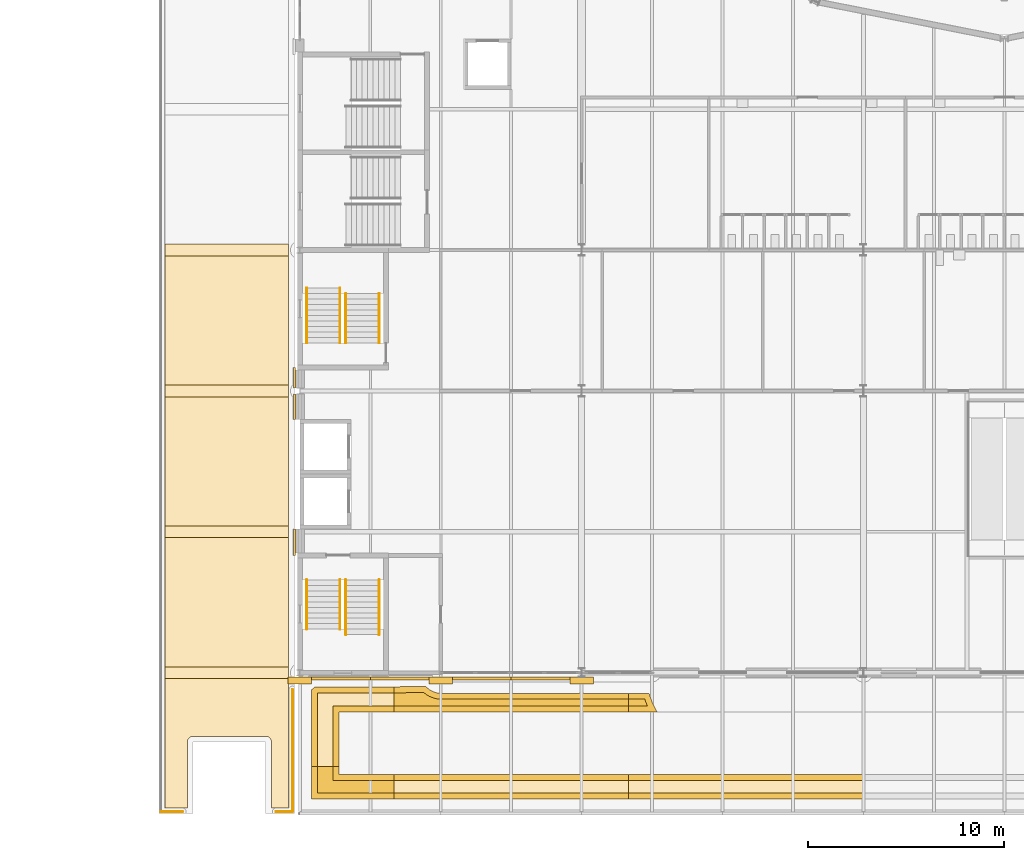
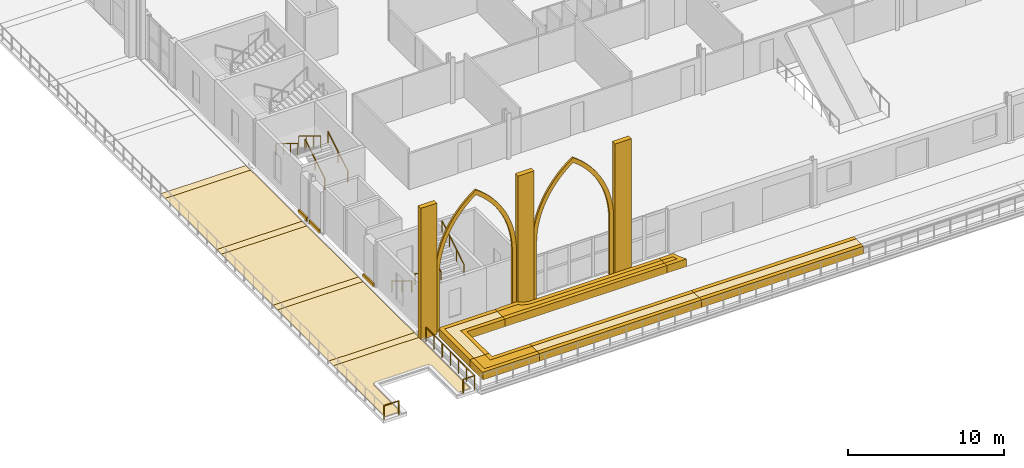
# One storey, part 104 of 143: 33 coverings, 11 railings.
"""IFC4 building model written with IfcOpenShell, lengths in metres."""

from ifc_helpers import new_model, si_unit, direction, frame, origin, origin_2d, place, context, subcontext, project, spatial, polyline, rectangle, circle, outline, extrude, material, layer, layer_set, type_object, element, save


model = new_model("IFC4")

# Units and contexts
model_context = context("Model", 3, precision=1e-05, world=origin(), true_north=direction((0.0, 1.0)))
body_context = subcontext(model_context, "Body", "Model", "MODEL_VIEW")
ifc_project = project(units=[si_unit("LENGTHUNIT", "METRE"), si_unit("AREAUNIT", "SQUARE_METRE"), si_unit("VOLUMEUNIT", "CUBIC_METRE"), si_unit("PLANEANGLEUNIT", "RADIAN"), si_unit("MASSUNIT", "GRAM", prefix="KILO")], contexts=[model_context])

# Site, building, storey
site_placement = place(None, origin())
site = spatial("IfcSite", under=ifc_project, at=site_placement, CompositionType="ELEMENT")
building_placement = place(site_placement, origin())
building = spatial("IfcBuilding", under=site, at=building_placement, Name="Kupolbacken Congress Centre", CompositionType="ELEMENT")
storey_placement = place(building_placement, frame((0.0, 0.0, 7.199951171875)))
storey = spatial("IfcBuildingStorey", under=building, at=storey_placement, Name="L02", CompositionType="ELEMENT", Elevation=7.199951171875)

# Coverings
ifc_material_1 = material(Name="Brick cladding", Category="masonry")
ifc_layer_1 = layer(ifc_material_1, 0.10791015625)
ifc_layer_set_1 = layer_set([ifc_layer_1], Name="Brick cladding")
covering_type_1 = type_object("IfcCoveringType", Name="CV2 brick cladding band 108", PredefinedType="CLADDING", material=ifc_layer_set_1)
covering_1_placement = place(storey_placement, frame((6.916015625, 43.875, 0.0), z_axis=(0.0, 0.0, 1.0), x_axis=(0.0, -1.0, 0.0)))
element("IfcCovering", 1, at=covering_1_placement, inside=storey, type_object=covering_type_1, Name="E/F/W/L02/242/band", PredefinedType="CLADDING", context=body_context, shape_type="SweptSolid", body=[
    extrude(rectangle(XDim=1.050048828125, YDim=0.10791015625, at=origin_2d()), origin(), (0.0, 0.0, 1.0), 0.300048828125),
])
covering_2_placement = place(storey_placement, frame((6.916015625, 42.39990234375, 0.0), z_axis=(0.0, 0.0, 1.0), x_axis=(0.0, -1.0, 0.0)))
element("IfcCovering", 2, at=covering_2_placement, inside=storey, type_object=covering_type_1, Name="E/F/W/L02/243/band", PredefinedType="CLADDING", context=body_context, shape_type="SweptSolid", body=[
    extrude(rectangle(XDim=1.300048828125, YDim=0.10791015625, at=origin_2d()), origin(), (0.0, 0.0, 1.0), 0.300048828125),
])
covering_3_placement = place(storey_placement, frame((6.916015625, 35.47509765625, 0.0), z_axis=(0.0, 0.0, 1.0), x_axis=(0.0, -1.0, 0.0)))
element("IfcCovering", 3, at=covering_3_placement, inside=storey, type_object=covering_type_1, Name="E/F/W/L02/244/band", PredefinedType="CLADDING", context=body_context, shape_type="SweptSolid", body=[
    extrude(rectangle(XDim=1.35009765625, YDim=0.10791015625, at=origin_2d()), origin(), (0.0, 0.0, 1.0), 0.300048828125),
])
ifc_material_2 = material(Name="Limestone cladding", Category="masonry")
ifc_layer_2 = layer(ifc_material_2, 0.35009765625)
ifc_layer_set_2 = layer_set([ifc_layer_2], Name="Limestone cladding")
covering_type_2 = type_object("IfcCoveringType", Name="CV3 limestone pilaster strip 350", PredefinedType="CLADDING", material=ifc_layer_set_2)
for number, where, z_axis, x_axis, name in (
    (4, (7.199951171875, 28.39501953125, 0.0), (0.0, 0.0, 1.0), (1.0, 0.0, 0.0), "F/FY/S/pil/00/0"),
    (5, (14.39990234375, 28.39501953125, 0.0), (0.0, 0.0, 1.0), (1.0, 0.0, 0.0), "F/FY/S/pil/01/0"),
    (6, (21.60009765625, 28.39501953125, 0.0), (0.0, 0.0, 1.0), (1.0, 0.0, 0.0), "F/FY/S/pil/02/0"),
):
    element("IfcCovering", number, at=place(storey_placement, frame(where, z_axis=z_axis, x_axis=x_axis)), inside=storey, type_object=covering_type_2, Name=name, PredefinedType="CLADDING", context=body_context, shape_type="SweptSolid", body=[
        extrude(rectangle(XDim=1.199951171875, YDim=0.35009765625, at=origin_2d()), origin(), (0.0, 0.0, 1.0), 10.300048828125),
    ])
ifc_material_3 = material(Name="Limestone cladding", Category="masonry")
ifc_layer_3 = layer(ifc_material_3, 0.14990234375)
ifc_layer_set_3 = layer_set([ifc_layer_3], Name="Limestone cladding")
covering_type_3 = type_object("IfcCoveringType", Name="CV4 limestone blind arch frame 150", PredefinedType="CLADDING", material=ifc_layer_set_3)
covering_4_placement = place(storey_placement, frame((7.800048828125, 28.570068359375, 0.0), z_axis=(0.0, -1.0, 0.0), x_axis=(1.0, 0.0, 0.0)))
element("IfcCovering", 7, at=covering_4_placement, inside=storey, type_object=covering_type_3, Name="F/FY/S/arch/00/11.7", PredefinedType="CLADDING", context=body_context, shape_type="SweptSolid", body=[
    extrude(outline(polyline([(0.0, 0.0), (0.0, 4.449951171875), (0.0166015625, 4.92822265625), (0.066162109375, 5.404052734375), (0.1484375, 5.87548828125), (0.26318359375, 6.340087890625), (0.409912109375, 6.79541015625), (0.587646484375, 7.23974609375), (0.7958984375, 7.670654296875), (1.033203125, 8.086181640625), (1.298583984375, 8.484130859375), (1.591064453125, 8.86279296875), (1.9091796875, 9.220458984375), (2.2509765625, 9.555419921875), (2.615234375, 9.865478515625), (3.0, 10.14990234375), (3.384765625, 9.865478515625), (3.7490234375, 9.555419921875), (4.0908203125, 9.220458984375), (4.408935546875, 8.86279296875), (4.701416015625, 8.484130859375), (4.966796875, 8.086181640625), (5.2041015625, 7.670654296875), (5.412353515625, 7.23974609375), (5.590087890625, 6.79541015625), (5.73681640625, 6.340087890625), (5.8515625, 5.87548828125), (5.933837890625, 5.404052734375), (5.9833984375, 4.92822265625), (6.0, 4.449951171875), (6.0, 0.0), (5.699951171875, 0.0), (5.699951171875, 4.449951171875), (5.685302734375, 4.892578125), (5.640869140625, 5.333251953125), (5.56689453125, 5.77001953125), (5.464111328125, 6.20068359375), (5.332763671875, 6.62353515625), (5.17333984375, 7.036865234375), (4.986572265625, 7.4384765625), (4.773193359375, 7.826416015625), (4.53466796875, 8.19970703125), (4.271484375, 8.555908203125), (3.985107421875, 8.893798828125), (3.677001953125, 9.211669921875), (3.347900390625, 9.50830078125), (3.0, 9.781982421875), (2.652099609375, 9.50830078125), (2.322998046875, 9.211669921875), (2.014892578125, 8.893798828125), (1.728515625, 8.555908203125), (1.46533203125, 8.19970703125), (1.226806640625, 7.826416015625), (1.013427734375, 7.4384765625), (0.82666015625, 7.036865234375), (0.667236328125, 6.62353515625), (0.535888671875, 6.20068359375), (0.43310546875, 5.77001953125), (0.359130859375, 5.333251953125), (0.314697265625, 4.892578125), (0.300048828125, 4.449951171875), (0.300048828125, 0.0), (0.0, 0.0)])), origin(), (0.0, 0.0, 1.0), 0.14990234375),
])
covering_5_placement = place(storey_placement, frame((15.0, 28.570068359375, 0.0), z_axis=(0.0, -1.0, 0.0), x_axis=(1.0, 0.0, 0.0)))
element("IfcCovering", 8, at=covering_5_placement, inside=storey, type_object=covering_type_3, Name="F/FY/S/arch/01/11.7", PredefinedType="CLADDING", context=body_context, shape_type="SweptSolid", body=[
    extrude(outline(polyline([(0.0, 0.0), (0.0, 4.449951171875), (0.0166015625, 4.92822265625), (0.066162109375, 5.404052734375), (0.1484375, 5.87548828125), (0.26318359375, 6.340087890625), (0.409912109375, 6.79541015625), (0.587646484375, 7.23974609375), (0.7958984375, 7.670654296875), (1.033203125, 8.086181640625), (1.298583984375, 8.484130859375), (1.591064453125, 8.86279296875), (1.9091796875, 9.220458984375), (2.2509765625, 9.555419921875), (2.615234375, 9.865478515625), (3.0, 10.14990234375), (3.384765625, 9.865478515625), (3.7490234375, 9.555419921875), (4.0908203125, 9.220458984375), (4.408935546875, 8.86279296875), (4.701416015625, 8.484130859375), (4.966796875, 8.086181640625), (5.2041015625, 7.670654296875), (5.412353515625, 7.23974609375), (5.590087890625, 6.79541015625), (5.73681640625, 6.340087890625), (5.8515625, 5.87548828125), (5.933837890625, 5.404052734375), (5.9833984375, 4.92822265625), (6.0, 4.449951171875), (6.0, 0.0), (5.699951171875, 0.0), (5.699951171875, 4.449951171875), (5.685302734375, 4.892578125), (5.640869140625, 5.333251953125), (5.56689453125, 5.77001953125), (5.464111328125, 6.20068359375), (5.332763671875, 6.62353515625), (5.17333984375, 7.036865234375), (4.986572265625, 7.4384765625), (4.773193359375, 7.826416015625), (4.53466796875, 8.19970703125), (4.271484375, 8.555908203125), (3.985107421875, 8.893798828125), (3.677001953125, 9.211669921875), (3.347900390625, 9.50830078125), (3.0, 9.781982421875), (2.652099609375, 9.50830078125), (2.322998046875, 9.211669921875), (2.014892578125, 8.893798828125), (1.728515625, 8.555908203125), (1.46533203125, 8.19970703125), (1.226806640625, 7.826416015625), (1.013427734375, 7.4384765625), (0.82666015625, 7.036865234375), (0.667236328125, 6.62353515625), (0.535888671875, 6.20068359375), (0.43310546875, 5.77001953125), (0.359130859375, 5.333251953125), (0.314697265625, 4.892578125), (0.300048828125, 4.449951171875), (0.300048828125, 0.0), (0.0, 0.0)])), origin(), (0.0, 0.0, 1.0), 0.14990234375),
])
ifc_material_4 = material(Name="Limestone cladding", Category="masonry")
ifc_layer_4 = layer(ifc_material_4, 0.60009765625)
ifc_layer_set_4 = layer_set([ifc_layer_4], Name="Limestone cladding")
covering_type_4 = type_object("IfcCoveringType", Name="CV5 limestone arcade pier 600", PredefinedType="CLADDING", material=ifc_layer_set_4)
covering_6_placement = place(storey_placement, origin())
element("IfcCovering", 9, at=covering_6_placement, inside=storey, type_object=covering_type_4, Name="Bed kerb, roof garden", PredefinedType="CLADDING", context=body_context, shape_type="SweptSolid", body=[
    extrude(outline(polyline([(9.202392578125, 23.6025390625), (12.0, 23.6025390625), (12.0, 23.302490234375), (8.902587890625, 23.302490234375), (8.902587890625, 24.0), (9.202392578125, 24.0), (9.202392578125, 23.6025390625)])), origin(), (0.0, 0.0, 1.0), 0.60009765625),
])
covering_7_placement = place(storey_placement, origin())
element("IfcCovering", 10, at=covering_7_placement, inside=storey, type_object=covering_type_4, Name="Bed kerb, roof garden", PredefinedType="CLADDING", context=body_context, shape_type="SweptSolid", body=[
    extrude(outline(polyline([(7.802490234375, 22.35009765625), (7.802490234375, 24.0), (8.1025390625, 24.0), (8.1025390625, 22.64990234375), (12.0, 22.64990234375), (12.0, 22.35009765625), (7.802490234375, 22.35009765625)])), origin(), (0.0, 0.0, 1.0), 0.60009765625),
])
covering_8_placement = place(storey_placement, origin())
element("IfcCovering", 11, at=covering_8_placement, inside=storey, type_object=covering_type_4, Name="Bed kerb, roof garden", PredefinedType="CLADDING", context=body_context, shape_type="SweptSolid", body=[
    extrude(outline(polyline([(7.943115234375, 28.056884765625), (7.959228515625, 28.074951171875), (10.875, 28.074951171875), (12.0, 28.074951171875), (12.0, 27.77490234375), (8.1025390625, 27.77490234375), (8.1025390625, 24.0), (7.802490234375, 24.0), (7.802490234375, 27.940185546875), (7.86669921875, 27.98779296875), (7.943115234375, 28.056884765625)])), origin(), (0.0, 0.0, 1.0), 0.60009765625),
])
covering_9_placement = place(storey_placement, origin())
element("IfcCovering", 12, at=covering_9_placement, inside=storey, type_object=covering_type_4, Name="Bed kerb, roof garden", PredefinedType="CLADDING", context=body_context, shape_type="SweptSolid", body=[
    extrude(outline(polyline([(9.202392578125, 26.797607421875), (9.202392578125, 24.0), (8.902587890625, 24.0), (8.902587890625, 27.097412109375), (12.0, 27.097412109375), (12.0, 26.797607421875), (9.202392578125, 26.797607421875)])), origin(), (0.0, 0.0, 1.0), 0.60009765625),
])
covering_10_placement = place(storey_placement, origin())
element("IfcCovering", 13, at=covering_10_placement, inside=storey, type_object=covering_type_4, Name="Bed kerb, roof garden", PredefinedType="CLADDING", context=body_context, shape_type="SweptSolid", body=[
    extrude(outline(polyline([(24.0, 23.6025390625), (24.0, 23.302490234375), (12.0, 23.302490234375), (12.0, 23.6025390625), (24.0, 23.6025390625)])), origin(), (0.0, 0.0, 1.0), 0.60009765625),
])
covering_11_placement = place(storey_placement, origin())
element("IfcCovering", 14, at=covering_11_placement, inside=storey, type_object=covering_type_4, Name="Bed kerb, roof garden", PredefinedType="CLADDING", context=body_context, shape_type="SweptSolid", body=[
    extrude(outline(polyline([(12.0, 22.35009765625), (12.0, 22.64990234375), (24.0, 22.64990234375), (24.0, 22.35009765625), (12.0, 22.35009765625)])), origin(), (0.0, 0.0, 1.0), 0.60009765625),
])
covering_12_placement = place(storey_placement, origin())
element("IfcCovering", 15, at=covering_12_placement, inside=storey, type_object=covering_type_4, Name="Bed kerb, roof garden", PredefinedType="CLADDING", context=body_context, shape_type="SweptSolid", body=[
    extrude(outline(polyline([(12.324951171875, 28.074951171875), (12.324951171875, 28.10009765625), (13.64306640625, 28.10009765625), (13.681884765625, 28.056884765625), (13.75830078125, 27.98779296875), (13.84130859375, 27.926513671875), (13.9296875, 27.873291015625), (14.02294921875, 27.829345703125), (14.1201171875, 27.79443359375), (14.219970703125, 27.76953125), (14.322021484375, 27.75439453125), (14.425048828125, 27.749267578125), (14.439697265625, 27.75), (16.147705078125, 27.75), (16.16259765625, 27.749267578125), (16.17724609375, 27.75), (17.910400390625, 27.75), (17.925048828125, 27.749267578125), (17.939697265625, 27.75), (19.6728515625, 27.75), (19.6875, 27.749267578125), (19.7021484375, 27.75), (21.410400390625, 27.75), (21.425048828125, 27.749267578125), (21.512451171875, 27.753662109375), (21.60009765625, 27.749267578125), (21.68994140625, 27.753662109375), (21.780029296875, 27.749267578125), (21.794921875, 27.75), (21.79541015625, 27.75), (23.459716796875, 27.75), (23.4599609375, 27.75), (23.47509765625, 27.749267578125), (23.489990234375, 27.75), (23.490234375, 27.75), (24.0, 27.75), (24.0, 27.449951171875), (23.4970703125, 27.449951171875), (23.475341796875, 27.448974609375), (23.45263671875, 27.449951171875), (21.802001953125, 27.449951171875), (21.780029296875, 27.448974609375), (21.68994140625, 27.453369140625), (21.60009765625, 27.448974609375), (21.512451171875, 27.453125), (21.425048828125, 27.448974609375), (21.40283203125, 27.449951171875), (19.709716796875, 27.449951171875), (19.6875, 27.448974609375), (19.665283203125, 27.449951171875), (17.947021484375, 27.449951171875), (17.925048828125, 27.448974609375), (17.90283203125, 27.449951171875), (16.1845703125, 27.449951171875), (16.16259765625, 27.448974609375), (16.140380859375, 27.449951171875), (14.447021484375, 27.449951171875), (14.425048828125, 27.448974609375), (14.29248046875, 27.455322265625), (14.161376953125, 27.474853515625), (14.03271484375, 27.507080078125), (13.907958984375, 27.5517578125), (13.7880859375, 27.6083984375), (13.67431640625, 27.676513671875), (13.56787109375, 27.755615234375), (13.518798828125, 27.800048828125), (12.625, 27.800048828125), (12.625, 27.77490234375), (12.0, 27.77490234375), (12.0, 28.074951171875), (12.324951171875, 28.074951171875)])), origin(), (0.0, 0.0, 1.0), 0.60009765625),
])
covering_13_placement = place(storey_placement, origin())
element("IfcCovering", 16, at=covering_13_placement, inside=storey, type_object=covering_type_4, Name="Bed kerb, roof garden", PredefinedType="CLADDING", context=body_context, shape_type="SweptSolid", body=[
    extrude(outline(polyline([(12.0, 26.797607421875), (12.0, 27.097412109375), (24.0, 27.097412109375), (24.0, 26.797607421875), (12.0, 26.797607421875)])), origin(), (0.0, 0.0, 1.0), 0.60009765625),
])
covering_14_placement = place(storey_placement, origin())
element("IfcCovering", 17, at=covering_14_placement, inside=storey, type_object=covering_type_4, Name="Bed kerb, roof garden", PredefinedType="CLADDING", context=body_context, shape_type="SweptSolid", body=[
    extrude(outline(polyline([(36.0, 23.6025390625), (36.0, 23.302490234375), (24.0, 23.302490234375), (24.0, 23.6025390625), (36.0, 23.6025390625)])), origin(), (0.0, 0.0, 1.0), 0.60009765625),
])
covering_15_placement = place(storey_placement, origin())
element("IfcCovering", 18, at=covering_15_placement, inside=storey, type_object=covering_type_4, Name="Bed kerb, roof garden", PredefinedType="CLADDING", context=body_context, shape_type="SweptSolid", body=[
    extrude(outline(polyline([(24.0, 22.35009765625), (24.0, 22.64990234375), (36.0, 22.64990234375), (36.0, 22.35009765625), (24.0, 22.35009765625)])), origin(), (0.0, 0.0, 1.0), 0.60009765625),
])
covering_16_placement = place(storey_placement, origin())
element("IfcCovering", 19, at=covering_16_placement, inside=storey, type_object=covering_type_4, Name="Bed kerb, roof garden", PredefinedType="CLADDING", context=body_context, shape_type="SweptSolid", body=[
    extrude(outline(polyline([(25.04736328125, 27.75), (25.06787109375, 27.66796875), (25.197021484375, 27.3076171875), (25.360595703125, 26.961669921875), (25.458740234375, 26.797607421875), (24.0, 26.797607421875), (24.0, 27.097412109375), (24.96435546875, 27.097412109375), (24.91943359375, 27.192626953125), (24.827392578125, 27.449951171875), (24.0, 27.449951171875), (24.0, 27.75), (25.04736328125, 27.75)])), origin(), (0.0, 0.0, 1.0), 0.60009765625),
])
ifc_material_5 = material(Name="Limestone cladding", Category="masonry")
ifc_layer_5 = layer(ifc_material_5, 0.02001953125)
ifc_layer_set_5 = layer_set([ifc_layer_5], Name="Limestone cladding")
covering_type_5 = type_object("IfcCoveringType", Name="GF1 limestone paving 20", PredefinedType="FLOORING", material=ifc_layer_set_5)
covering_17_placement = place(storey_placement, origin())
element("IfcCovering", 20, at=covering_17_placement, inside=storey, type_object=covering_type_5, Name="West paving band", PredefinedType="FLOORING", context=body_context, shape_type="SweptSolid", body=[
    extrude(outline(polyline([(0.301025390625, 28.5), (0.301025390625, 29.10009765625), (6.625, 29.10009765625), (6.625, 28.5), (0.301025390625, 28.5)])), origin(), (0.0, 0.0, 1.0), 0.02001953125),
])
covering_18_placement = place(storey_placement, origin())
element("IfcCovering", 21, at=covering_18_placement, inside=storey, type_object=covering_type_5, Name="West paving band", PredefinedType="FLOORING", context=body_context, shape_type="SweptSolid", body=[
    extrude(outline(polyline([(0.301025390625, 35.699951171875), (0.301025390625, 36.300048828125), (6.625, 36.300048828125), (6.625, 35.699951171875), (0.301025390625, 35.699951171875)])), origin(), (0.0, 0.0, 1.0), 0.02001953125),
])
covering_19_placement = place(storey_placement, origin())
element("IfcCovering", 22, at=covering_19_placement, inside=storey, type_object=covering_type_5, Name="West paving band", PredefinedType="FLOORING", context=body_context, shape_type="SweptSolid", body=[
    extrude(outline(polyline([(0.301025390625, 42.89990234375), (0.301025390625, 43.5), (6.625, 43.5), (6.625, 42.89990234375), (0.301025390625, 42.89990234375)])), origin(), (0.0, 0.0, 1.0), 0.02001953125),
])
covering_20_placement = place(storey_placement, origin())
element("IfcCovering", 23, at=covering_20_placement, inside=storey, type_object=covering_type_5, Name="West paving band", PredefinedType="FLOORING", context=body_context, shape_type="SweptSolid", body=[
    extrude(outline(polyline([(0.301025390625, 50.10009765625), (0.301025390625, 50.699951171875), (6.625, 50.699951171875), (6.625, 50.10009765625), (0.301025390625, 50.10009765625)])), origin(), (0.0, 0.0, 1.0), 0.02001953125),
])
ifc_material_6 = material(Name="Brick", Category="masonry")
ifc_layer_6 = layer(ifc_material_6, 0.02001953125)
ifc_layer_set_6 = layer_set([ifc_layer_6], Name="Brick")
covering_type_6 = type_object("IfcCoveringType", Name="GF2 brick paving 20", PredefinedType="FLOORING", material=ifc_layer_set_6)
covering_21_placement = place(storey_placement, origin())
element("IfcCovering", 24, at=covering_21_placement, inside=storey, type_object=covering_type_6, Name="West terrace brick paving", PredefinedType="FLOORING", context=body_context, shape_type="SweptSolid", body=[
    extrude(outline(polyline([(5.74853515625, 25.279296875), (5.744140625, 25.30859375), (5.737060546875, 25.337158203125), (5.727294921875, 25.36474609375), (5.714599609375, 25.391357421875), (5.699462890625, 25.416748046875), (5.681884765625, 25.440185546875), (5.662109375, 25.462158203125), (5.640380859375, 25.48193359375), (5.61669921875, 25.49951171875), (5.59130859375, 25.5146484375), (5.564697265625, 25.527099609375), (5.537109375, 25.537109375), (5.508544921875, 25.544189453125), (5.4794921875, 25.548583984375), (5.449951171875, 25.550048828125), (1.75, 25.550048828125), (1.720703125, 25.548583984375), (1.69140625, 25.544189453125), (1.662841796875, 25.537109375), (1.63525390625, 25.527099609375), (1.608642578125, 25.5146484375), (1.583251953125, 25.49951171875), (1.559814453125, 25.48193359375), (1.537841796875, 25.462158203125), (1.51806640625, 25.440185546875), (1.50048828125, 25.416748046875), (1.4853515625, 25.391357421875), (1.472900390625, 25.36474609375), (1.462890625, 25.337158203125), (1.455810546875, 25.30859375), (1.451416015625, 25.279296875), (1.449951171875, 25.25), (1.449951171875, 21.89990234375), (0.301025390625, 21.89990234375), (0.301025390625, 28.5), (6.625, 28.5), (6.625, 21.89990234375), (5.75, 21.89990234375), (5.75, 25.25), (5.74853515625, 25.279296875)])), origin(), (0.0, 0.0, 1.0), 0.02001953125),
])
covering_22_placement = place(storey_placement, origin())
element("IfcCovering", 25, at=covering_22_placement, inside=storey, type_object=covering_type_6, Name="West terrace brick paving", PredefinedType="FLOORING", context=body_context, shape_type="SweptSolid", body=[
    extrude(outline(polyline([(6.625, 29.10009765625), (0.301025390625, 29.10009765625), (0.301025390625, 35.699951171875), (6.625, 35.699951171875), (6.625, 29.10009765625)])), origin(), (0.0, 0.0, 1.0), 0.02001953125),
])
covering_23_placement = place(storey_placement, origin())
element("IfcCovering", 26, at=covering_23_placement, inside=storey, type_object=covering_type_6, Name="West terrace brick paving", PredefinedType="FLOORING", context=body_context, shape_type="SweptSolid", body=[
    extrude(outline(polyline([(6.625, 36.300048828125), (0.301025390625, 36.300048828125), (0.301025390625, 42.89990234375), (6.625, 42.89990234375), (6.625, 36.300048828125)])), origin(), (0.0, 0.0, 1.0), 0.02001953125),
])
covering_24_placement = place(storey_placement, origin())
element("IfcCovering", 27, at=covering_24_placement, inside=storey, type_object=covering_type_6, Name="West terrace brick paving", PredefinedType="FLOORING", context=body_context, shape_type="SweptSolid", body=[
    extrude(outline(polyline([(6.625, 43.5), (0.301025390625, 43.5), (0.301025390625, 50.10009765625), (6.625, 50.10009765625), (6.625, 43.5)])), origin(), (0.0, 0.0, 1.0), 0.02001953125),
])
ifc_material_7 = material(Name="Planting substrate", Category="soil")
ifc_layer_7 = layer(ifc_material_7, 0.60009765625)
ifc_layer_set_7 = layer_set([ifc_layer_7], Name="Planting substrate")
covering_type_7 = type_object("IfcCoveringType", Name="GR8 planting substrate 600", PredefinedType="FLOORING", material=ifc_layer_set_7)
covering_25_placement = place(storey_placement, origin())
element("IfcCovering", 28, at=covering_25_placement, inside=storey, type_object=covering_type_7, Name="Planting bed, roof garden", PredefinedType="FLOORING", context=body_context, shape_type="SweptSolid", body=[
    extrude(outline(polyline([(8.902587890625, 23.302490234375), (12.0, 23.302490234375), (12.0, 22.64990234375), (8.1025390625, 22.64990234375), (8.1025390625, 24.0), (8.902587890625, 24.0), (8.902587890625, 23.302490234375)])), origin(), (0.0, 0.0, 1.0), 0.60009765625),
])
covering_26_placement = place(storey_placement, origin())
element("IfcCovering", 29, at=covering_26_placement, inside=storey, type_object=covering_type_7, Name="Planting bed, roof garden", PredefinedType="FLOORING", context=body_context, shape_type="SweptSolid", body=[
    extrude(outline(polyline([(12.0, 27.77490234375), (12.0, 27.097412109375), (8.902587890625, 27.097412109375), (8.902587890625, 24.0), (8.1025390625, 24.0), (8.1025390625, 27.77490234375), (12.0, 27.77490234375)])), origin(), (0.0, 0.0, 1.0), 0.60009765625),
])
covering_27_placement = place(storey_placement, origin())
element("IfcCovering", 30, at=covering_27_placement, inside=storey, type_object=covering_type_7, Name="Planting bed, roof garden", PredefinedType="FLOORING", context=body_context, shape_type="SweptSolid", body=[
    extrude(outline(polyline([(24.0, 23.302490234375), (24.0, 22.64990234375), (12.0, 22.64990234375), (12.0, 23.302490234375), (24.0, 23.302490234375)])), origin(), (0.0, 0.0, 1.0), 0.60009765625),
])
covering_28_placement = place(storey_placement, origin())
element("IfcCovering", 31, at=covering_28_placement, inside=storey, type_object=covering_type_7, Name="Planting bed, roof garden", PredefinedType="FLOORING", context=body_context, shape_type="SweptSolid", body=[
    extrude(outline(polyline([(12.625, 27.77490234375), (12.625, 27.800048828125), (13.518798828125, 27.800048828125), (13.56787109375, 27.755615234375), (13.67431640625, 27.676513671875), (13.7880859375, 27.6083984375), (13.907958984375, 27.5517578125), (14.03271484375, 27.507080078125), (14.161376953125, 27.474853515625), (14.29248046875, 27.455322265625), (14.425048828125, 27.448974609375), (14.447021484375, 27.449951171875), (16.140380859375, 27.449951171875), (16.16259765625, 27.448974609375), (16.1845703125, 27.449951171875), (17.90283203125, 27.449951171875), (17.925048828125, 27.448974609375), (17.947021484375, 27.449951171875), (19.665283203125, 27.449951171875), (19.6875, 27.448974609375), (19.709716796875, 27.449951171875), (21.40283203125, 27.449951171875), (21.425048828125, 27.448974609375), (21.512451171875, 27.453125), (21.60009765625, 27.448974609375), (21.68994140625, 27.453369140625), (21.780029296875, 27.448974609375), (21.802001953125, 27.449951171875), (23.45263671875, 27.449951171875), (23.475341796875, 27.448974609375), (23.4970703125, 27.449951171875), (24.0, 27.449951171875), (24.0, 27.097412109375), (12.0, 27.097412109375), (12.0, 27.77490234375), (12.625, 27.77490234375)])), origin(), (0.0, 0.0, 1.0), 0.60009765625),
])
covering_29_placement = place(storey_placement, origin())
element("IfcCovering", 32, at=covering_29_placement, inside=storey, type_object=covering_type_7, Name="Planting bed, roof garden", PredefinedType="FLOORING", context=body_context, shape_type="SweptSolid", body=[
    extrude(outline(polyline([(36.0, 23.302490234375), (36.0, 22.64990234375), (24.0, 22.64990234375), (24.0, 23.302490234375), (36.0, 23.302490234375)])), origin(), (0.0, 0.0, 1.0), 0.60009765625),
])
covering_30_placement = place(storey_placement, origin())
element("IfcCovering", 33, at=covering_30_placement, inside=storey, type_object=covering_type_7, Name="Planting bed, roof garden", PredefinedType="FLOORING", context=body_context, shape_type="SweptSolid", body=[
    extrude(outline(polyline([(24.827392578125, 27.449951171875), (24.91943359375, 27.192626953125), (24.96435546875, 27.097412109375), (24.0, 27.097412109375), (24.0, 27.449951171875), (24.827392578125, 27.449951171875)])), origin(), (0.0, 0.0, 1.0), 0.60009765625),
])

# Railings
ifc_material_8 = material(Name="Steel S235", Category="steel")
railing_type_1 = type_object("IfcRailingType", Name="RL1 guard 1100 steel balustrade", PredefinedType="GUARDRAIL", material=ifc_material_8)
railing_1_placement = place(storey_placement, frame((6.824951171875, 21.699951171875, 0.0)))
element("IfcRailing", 34, at=railing_1_placement, inside=storey, type_object=railing_type_1, Name="E/deckguard/000", PredefinedType="GUARDRAIL", context=body_context, shape_type="SweptSolid", body=[
    extrude(circle(Radius=0.02392578125, at=origin_2d()), frame((0.0, 0.0, 1.076171875), z_axis=(-1.0, 0.0, 0.0), x_axis=(0.0, -1.0, 0.0)), (0.0, 0.0, 1.0), 0.849853515625),
    extrude(circle(Radius=0.02099609375, at=origin_2d()), origin(), (0.0, 0.0, 1.0), 1.052001953125),
    extrude(circle(Radius=0.02099609375, at=origin_2d()), frame((-0.849853515625, 0.0, 0.0)), (0.0, 0.0, 1.0), 1.052001953125),
])
railing_2_placement = place(storey_placement, frame((1.20751953125, 21.699951171875, 0.0)))
element("IfcRailing", 35, at=railing_2_placement, inside=storey, type_object=railing_type_1, Name="E/deckguard/001", PredefinedType="GUARDRAIL", context=body_context, shape_type="SweptSolid", body=[
    extrude(circle(Radius=0.02392578125, at=origin_2d()), frame((0.0, 0.0, 1.076171875), z_axis=(-1.0, 0.0, 0.0), x_axis=(0.0, -1.0, 0.0)), (0.0, 0.0, 1.0), 1.1064453125),
    extrude(circle(Radius=0.02099609375, at=origin_2d()), origin(), (0.0, 0.0, 1.0), 1.052001953125),
    extrude(circle(Radius=0.02099609375, at=origin_2d()), frame((-1.1064453125, 0.0, 0.0)), (0.0, 0.0, 1.0), 1.052001953125),
])
railing_3_placement = place(storey_placement, frame((6.824951171875, 27.939208984375, 0.0)))
element("IfcRailing", 36, at=railing_3_placement, inside=storey, type_object=railing_type_1, Name="E/deckguard/005", PredefinedType="GUARDRAIL", context=body_context, shape_type="SweptSolid", body=[
    extrude(circle(Radius=0.02392578125, at=origin_2d()), frame((0.0, 0.0, 1.076171875), z_axis=(0.0, -1.0, 0.0), x_axis=(1.0, 0.0, 0.0)), (0.0, 0.0, 1.0), 6.2392578125),
    extrude(circle(Radius=0.02099609375, at=origin_2d()), origin(), (0.0, 0.0, 1.0), 1.052001953125),
    extrude(circle(Radius=0.02099609375, at=origin_2d()), frame((0.0, -1.039794921875, 0.0)), (0.0, 0.0, 1.0), 1.052001953125),
    extrude(circle(Radius=0.02099609375, at=origin_2d()), frame((0.0, -2.079833984375, 0.0)), (0.0, 0.0, 1.0), 1.052001953125),
    extrude(circle(Radius=0.02099609375, at=origin_2d()), frame((0.0, -3.11962890625, 0.0)), (0.0, 0.0, 1.0), 1.052001953125),
    extrude(circle(Radius=0.02099609375, at=origin_2d()), frame((0.0, -4.159423828125, 0.0)), (0.0, 0.0, 1.0), 1.052001953125),
    extrude(circle(Radius=0.02099609375, at=origin_2d()), frame((0.0, -5.199462890625, 0.0)), (0.0, 0.0, 1.0), 1.052001953125),
    extrude(circle(Radius=0.02099609375, at=origin_2d()), frame((0.0, -6.2392578125, 0.0)), (0.0, 0.0, 1.0), 1.052001953125),
])
ifc_material_9 = material(Name="Steel S235", Category="steel")
railing_type_2 = type_object("IfcRailingType", Name="RL3 handrail wall-mounted 900", PredefinedType="HANDRAIL", material=ifc_material_9)
for number, where, name in (
    (37, (9.25, 33.544921875, 0.17138671875), "C/stair/FS1W/L02/HR1L"),
    (38, (7.550048828125, 33.544921875, 0.17138671875), "C/stair/FS1W/L02/HR1R"),
):
    element("IfcRailing", number, at=place(storey_placement, frame(where)), inside=storey, type_object=railing_type_2, Name=name, PredefinedType="HANDRAIL", context=body_context, shape_type="SweptSolid", body=[
        extrude(circle(Radius=0.02392578125, at=origin_2d()), frame((0.0, 0.0, 0.8759765625), z_axis=(0.0, -0.852836285881, 0.522178388565), x_axis=(1.0, 0.0, 0.0)), (0.0, 0.0, 1.0), 2.954833984375),
        extrude(circle(Radius=0.02099609375, at=origin_2d()), origin(), (0.0, 0.0, 1.0), 0.851806640625),
        extrude(circle(Radius=0.02099609375, at=origin_2d()), frame((0.0, -1.260009765625, 0.771484375)), (0.0, 0.0, 1.0), 0.851806640625),
        extrude(circle(Radius=0.02099609375, at=origin_2d()), frame((0.0, -2.52001953125, 1.54296875)), (0.0, 0.0, 1.0), 0.851806640625),
    ])
for number, where, name in (
    (39, (9.550048828125, 30.7451171875, 1.8857421875), "C/stair/FS1W/L02/HR2L"),
    (40, (11.25, 30.7451171875, 1.8857421875), "C/stair/FS1W/L02/HR2R"),
):
    element("IfcRailing", number, at=place(storey_placement, frame(where)), inside=storey, type_object=railing_type_2, Name=name, PredefinedType="HANDRAIL", context=body_context, shape_type="SweptSolid", body=[
        extrude(circle(Radius=0.02392578125, at=origin_2d()), frame((0.0, 0.0, 0.8759765625), z_axis=(0.0, 0.852825620865, 0.522195806567), x_axis=(-1.0, 0.0, 0.0)), (0.0, 0.0, 1.0), 3.282958984375),
        extrude(circle(Radius=0.02099609375, at=origin_2d()), origin(), (0.0, 0.0, 1.0), 0.851806640625),
        extrude(circle(Radius=0.02099609375, at=origin_2d()), frame((0.0, 0.933349609375, 0.571533203125)), (0.0, 0.0, 1.0), 0.851806640625),
        extrude(circle(Radius=0.02099609375, at=origin_2d()), frame((0.0, 1.866455078125, 1.142822265625)), (0.0, 0.0, 1.0), 0.851806640625),
        extrude(circle(Radius=0.02099609375, at=origin_2d()), frame((0.0, 2.7998046875, 1.71435546875)), (0.0, 0.0, 1.0), 0.851806640625),
    ])
for number, where, name in (
    (41, (9.550048828125, 45.655029296875, 0.17138671875), "C/stair/FS2W/L02/HR1L"),
    (42, (11.25, 45.655029296875, 0.17138671875), "C/stair/FS2W/L02/HR1R"),
):
    element("IfcRailing", number, at=place(storey_placement, frame(where)), inside=storey, type_object=railing_type_2, Name=name, PredefinedType="HANDRAIL", context=body_context, shape_type="SweptSolid", body=[
        extrude(circle(Radius=0.02392578125, at=origin_2d()), frame((0.0, 0.0, 0.8759765625), z_axis=(0.0, 0.852836285881, 0.522178388565), x_axis=(-1.0, 0.0, 0.0)), (0.0, 0.0, 1.0), 2.954833984375),
        extrude(circle(Radius=0.02099609375, at=origin_2d()), origin(), (0.0, 0.0, 1.0), 0.851806640625),
        extrude(circle(Radius=0.02099609375, at=origin_2d()), frame((0.0, 1.260009765625, 0.771484375)), (0.0, 0.0, 1.0), 0.851806640625),
        extrude(circle(Radius=0.02099609375, at=origin_2d()), frame((0.0, 2.52001953125, 1.54296875)), (0.0, 0.0, 1.0), 0.851806640625),
    ])
for number, where, name in (
    (43, (9.25, 48.455078125, 1.8857421875), "C/stair/FS2W/L02/HR2L"),
    (44, (7.550048828125, 48.455078125, 1.8857421875), "C/stair/FS2W/L02/HR2R"),
):
    element("IfcRailing", number, at=place(storey_placement, frame(where)), inside=storey, type_object=railing_type_2, Name=name, PredefinedType="HANDRAIL", context=body_context, shape_type="SweptSolid", body=[
        extrude(circle(Radius=0.02392578125, at=origin_2d()), frame((0.0, 0.0, 0.8759765625), z_axis=(0.0, -0.852845897599, 0.522162690116), x_axis=(1.0, 0.0, 0.0)), (0.0, 0.0, 1.0), 3.283203125),
        extrude(circle(Radius=0.02099609375, at=origin_2d()), origin(), (0.0, 0.0, 1.0), 0.851806640625),
        extrude(circle(Radius=0.02099609375, at=origin_2d()), frame((0.0, -0.933349609375, 0.571533203125)), (0.0, 0.0, 1.0), 0.851806640625),
        extrude(circle(Radius=0.02099609375, at=origin_2d()), frame((0.0, -1.86669921875, 1.142822265625)), (0.0, 0.0, 1.0), 0.851806640625),
        extrude(circle(Radius=0.02099609375, at=origin_2d()), frame((0.0, -2.800048828125, 1.71435546875)), (0.0, 0.0, 1.0), 0.851806640625),
    ])

save(model, "model.ifc")
